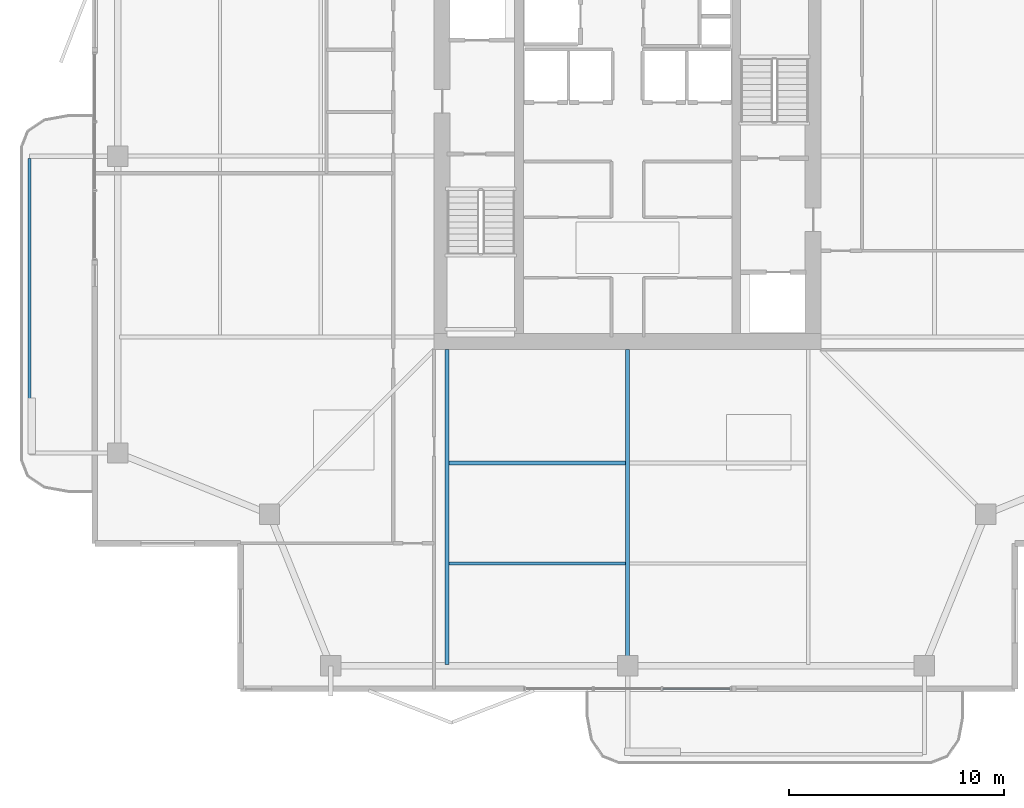
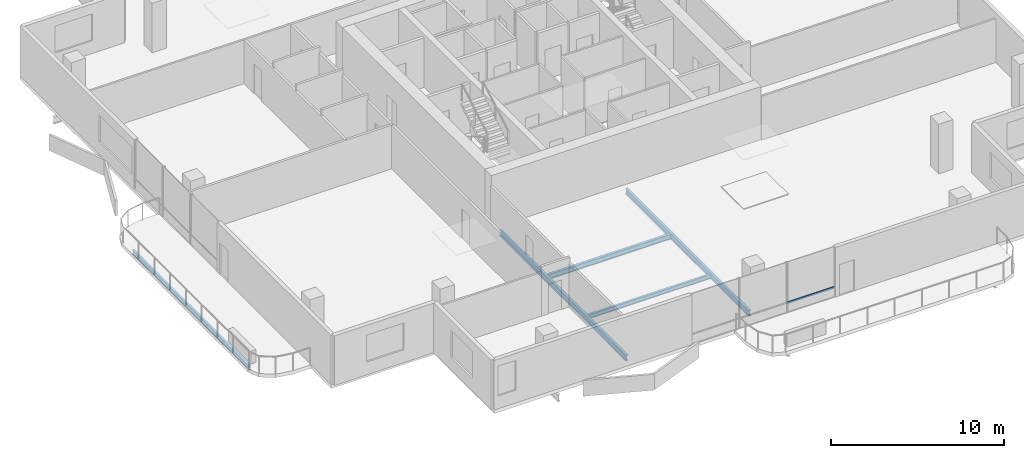
# One storey, part 3 of 24: 5 beams, 1 member, 1 element without a shape of its own.
"""IFC4 building model written with IfcOpenShell, lengths in metres."""

from ifc_helpers import new_model, si_unit, direction, frame, origin, origin_2d, place, context, subcontext, project, spatial, hollow_rectangle, i_section, extrude, material, layer, layer_set, material_profile, profile_set, type_object, element, aggregate, save


model = new_model("IFC4")

# Units and contexts
model_context = context("Model", 3, precision=1e-05, world=origin(), true_north=direction((0.0, 1.0)))
body_context = subcontext(model_context, "Body", "Model", "MODEL_VIEW")
ifc_project = project(units=[si_unit("LENGTHUNIT", "METRE"), si_unit("AREAUNIT", "SQUARE_METRE"), si_unit("VOLUMEUNIT", "CUBIC_METRE"), si_unit("PLANEANGLEUNIT", "RADIAN"), si_unit("MASSUNIT", "GRAM", prefix="KILO")], contexts=[model_context])

# Site, building, storey
site_placement = place(None, origin())
site = spatial("IfcSite", under=ifc_project, at=site_placement, CompositionType="ELEMENT")
building_placement = place(site_placement, origin())
building = spatial("IfcBuilding", under=site, at=building_placement, Name="Belovzor Exchange Tower", CompositionType="ELEMENT")
storey_placement = place(building_placement, frame((0.0, 0.0, 261.60009765625)))
storey = spatial("IfcBuildingStorey", under=building, at=storey_placement, Name="L65", CompositionType="ELEMENT", Elevation=261.60009765625)

# Beams
ifc_material_1 = material(Name="Steel S355", Category="steel")
ifc_material_profile_1 = material_profile(ifc_material_1, i_section(OverallWidth=0.14990234375, OverallDepth=0.300048828125, WebThickness=0.007080078125, FlangeThickness=0.0107421875, at=origin_2d()))
ifc_profile_set_1 = profile_set([ifc_material_profile_1], Name="Steel S355")
beam_type_1 = type_object("IfcBeamType", Name="Planted Balcony Fascia Edge Beam IPE 300", PredefinedType="BEAM", material=ifc_profile_set_1)
beam_1_placement = place(storey_placement, frame((0.989013671875, 28.699951171875, -0.400146484375), z_axis=(0.0, -1.0, 0.0), x_axis=(1.0, 0.0, 0.0)))
element("IfcBeam", 1, at=beam_1_placement, inside=storey, type_object=beam_type_1, Name="BC-300 Planted Balcony Fascia Edge Beam IPE 300", PredefinedType="BEAM", context=body_context, shape_type="SweptSolid", body=[
    extrude(i_section(OverallWidth=0.14990234375, OverallDepth=0.300048828125, WebThickness=0.007080078125, FlangeThickness=0.0107421875, at=origin_2d()), origin(), (0.0, 0.0, 1.0), 13.599853515625),
])
ifc_material_2 = material(Name="Steel S355", Category="steel")
ifc_material_profile_2 = material_profile(ifc_material_2, i_section(OverallWidth=0.169921875, OverallDepth=0.360107421875, WebThickness=0.008056640625, FlangeThickness=0.0126953125, at=origin_2d()))
ifc_profile_set_2 = profile_set([ifc_material_profile_2], Name="Steel S355")
beam_type_2 = type_object("IfcBeamType", Name="Secondary Infill Floor Joist IPE 360", PredefinedType="BEAM", material=ifc_profile_set_2)
beam_2_placement = place(storey_placement, frame((20.489990234375, 14.534912109375, -0.43017578125), z_axis=(1.0, 0.0, 0.0), x_axis=(0.0, 1.0, 0.0)))
element("IfcBeam", 2, at=beam_2_placement, inside=storey, type_object=beam_type_2, Name="FJ-360 Secondary Infill Floor Joist IPE 360", PredefinedType="BEAM", context=body_context, shape_type="SweptSolid", body=[
    extrude(i_section(OverallWidth=0.169921875, OverallDepth=0.360107421875, WebThickness=0.008056640625, FlangeThickness=0.0126953125, at=origin_2d()), origin(), (0.0, 0.0, 1.0), 8.219970703125),
])
ifc_material_3 = material(Name="Steel S355", Category="steel")
ifc_material_profile_3 = material_profile(ifc_material_3, i_section(OverallWidth=0.14990234375, OverallDepth=0.300048828125, WebThickness=0.007080078125, FlangeThickness=0.0107421875, at=origin_2d()))
ifc_profile_set_3 = profile_set([ifc_material_profile_3], Name="Steel S355")
beam_type_3 = type_object("IfcBeamType", Name="Secondary Trim Floor Joist IPE 300", PredefinedType="BEAM", material=ifc_profile_set_3)
beam_3_placement = place(storey_placement, frame((20.489990234375, 9.85498046875, -0.400146484375), z_axis=(1.0, 0.0, 0.0), x_axis=(0.0, 1.0, 0.0)))
element("IfcBeam", 3, at=beam_3_placement, inside=storey, type_object=beam_type_3, Name="FJ-300 Secondary Trim Floor Joist IPE 300", PredefinedType="BEAM", context=body_context, shape_type="SweptSolid", body=[
    extrude(i_section(OverallWidth=0.14990234375, OverallDepth=0.300048828125, WebThickness=0.007080078125, FlangeThickness=0.0107421875, at=origin_2d()), origin(), (0.0, 0.0, 1.0), 8.219970703125),
])

# Curtain wall, member
ifc_material_4 = material(Name="Anodised Aluminium Framing", Category="aluminium")
ifc_layer = layer(ifc_material_4, 0.179931640625)
ifc_layer_set = layer_set([ifc_layer], Name="Anodised Aluminium Framing")
curtain_wall_type = type_object("IfcCurtainWallType", Name="Recessed Loggia Low-Iron Triple-Glazed Curtain Wall", PredefinedType="NOTDEFINED", material=ifc_layer_set)
curtain_wall_placement = place(storey_placement, origin())
curtain_wall = element("IfcCurtainWall", 4, at=curtain_wall_placement, inside=storey, type_object=curtain_wall_type, Name="CW3 Recessed Loggia Low-Iron Triple-Glazed Curtain Wall L65", PredefinedType="NOTDEFINED")
ifc_material_5 = material(Name="Steel S355", Category="steel")
ifc_material_profile_4 = material_profile(ifc_material_5, hollow_rectangle(XDim=0.06005859375, YDim=0.14990234375, WallThickness=0.00390625, at=origin_2d()))
ifc_profile_set_4 = profile_set([ifc_material_profile_4], Name="Steel S355")
member_type = type_object("IfcMemberType", Name="Thermally Broken Curtain Wall Transom 150x60", PredefinedType="USERDEFINED", material=ifc_profile_set_4)
member_placement = place(storey_placement, frame((33.592041015625, 4.030029296875, 0.6298828125), z_axis=(-1.0, 0.0, 0.0), x_axis=(0.0, -1.0, 0.0)))
member = element("IfcMember", 5, at=member_placement, type_object=member_type, Name="CW-T150 Curtain Wall Transom 1", ObjectType="TRANSOM", PredefinedType="USERDEFINED", context=body_context, shape_type="SweptSolid", body=[
    extrude(hollow_rectangle(XDim=0.06005859375, YDim=0.14990234375, WallThickness=0.00390625, at=origin_2d()), origin(), (0.0, 0.0, 1.0), 3.18408203125),
])
aggregate(curtain_wall, [member])

# Beams
ifc_material_6 = material(Name="Steel S355", Category="steel")
ifc_material_profile_5 = material_profile(ifc_material_6, i_section(OverallWidth=0.179931640625, OverallDepth=0.39990234375, WebThickness=0.008544921875, FlangeThickness=0.013427734375, at=origin_2d()))
ifc_profile_set_5 = profile_set([ifc_material_profile_5], Name="Steel S355")
beam_type_4 = type_object("IfcBeamType", Name="Zone 5-6 Radial Composite Floor Beam IPE 400", PredefinedType="BEAM", material=ifc_profile_set_5)
beam_4_placement = place(storey_placement, frame((20.39990234375, 19.800048828125, -0.4501953125), z_axis=(0.0, -1.0, 0.0), x_axis=(1.0, 0.0, 0.0)))
element("IfcBeam", 6, at=beam_4_placement, inside=storey, type_object=beam_type_4, Name="FB-400 Zone 5-6 Radial Composite Floor Beam IPE 400", PredefinedType="BEAM", context=body_context, shape_type="SweptSolid", body=[
    extrude(i_section(OverallWidth=0.179931640625, OverallDepth=0.39990234375, WebThickness=0.008544921875, FlangeThickness=0.013427734375, at=origin_2d()), origin(), (0.0, 0.0, 1.0), 14.625),
])
beam_5_placement = place(storey_placement, frame((28.800048828125, 19.800048828125, -0.4501953125), z_axis=(0.0, -1.0, 0.0), x_axis=(1.0, 0.0, 0.0)))
element("IfcBeam", 7, at=beam_5_placement, inside=storey, type_object=beam_type_4, Name="FB-400 Zone 5-6 Radial Composite Floor Beam IPE 400", PredefinedType="BEAM", context=body_context, shape_type="SweptSolid", body=[
    extrude(i_section(OverallWidth=0.179931640625, OverallDepth=0.39990234375, WebThickness=0.008544921875, FlangeThickness=0.013427734375, at=origin_2d()), origin(), (0.0, 0.0, 1.0), 14.281982421875),
])

save(model, "model.ifc")
